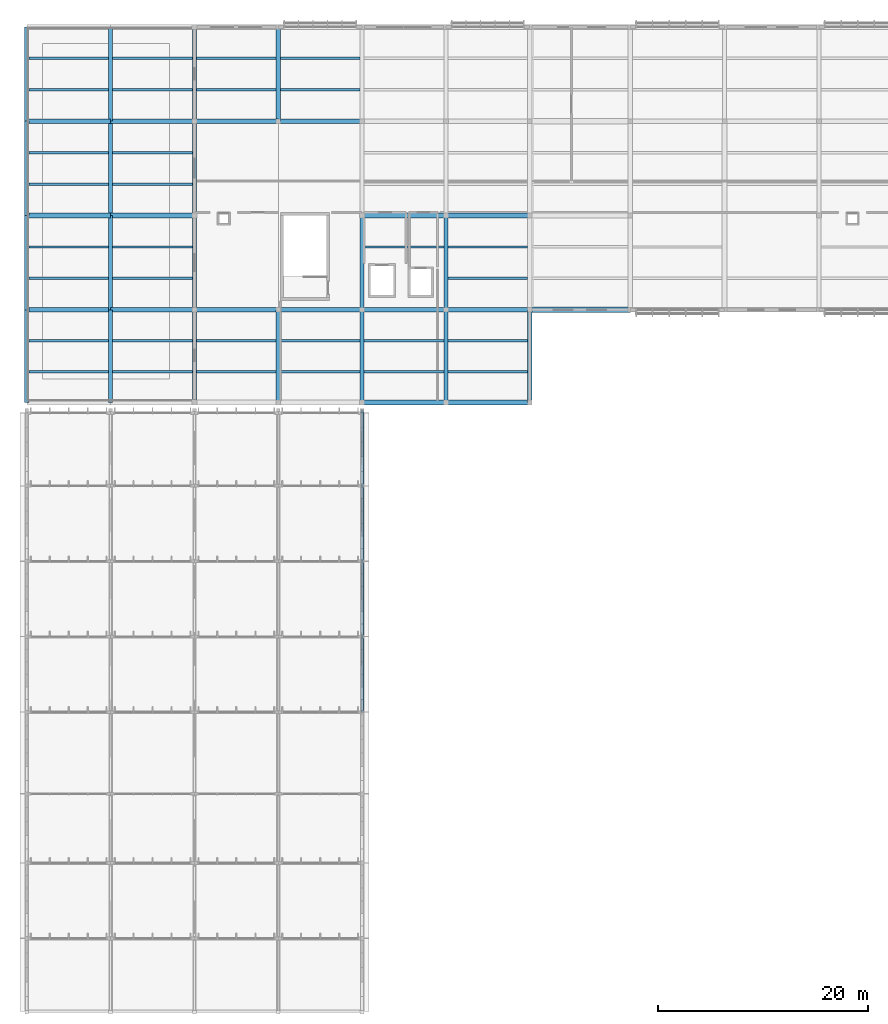
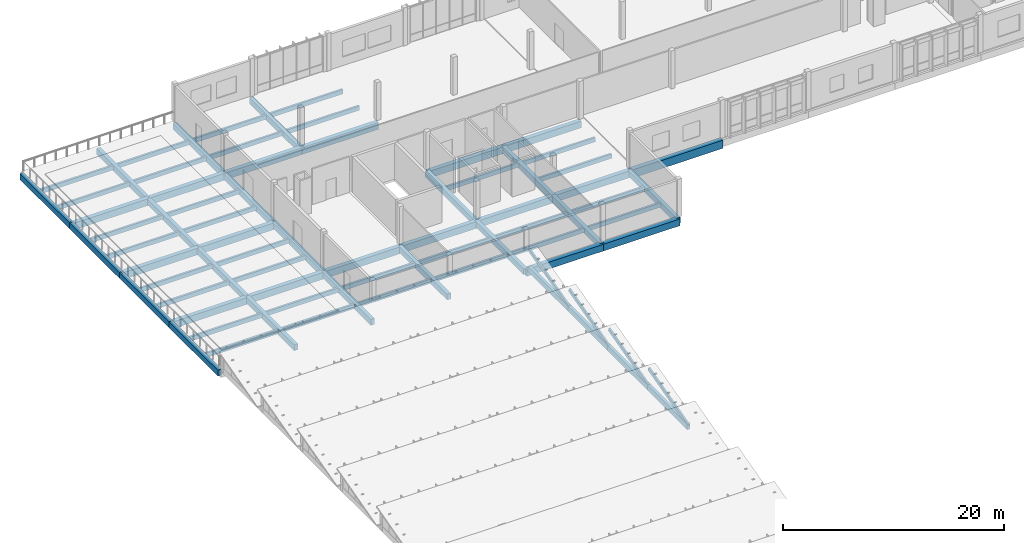
# One storey, part 42 of 94: 67 beams, 8 members.
"""IFC4 building model written with IfcOpenShell, lengths in metres."""

from ifc_helpers import new_model, si_unit, direction, frame, origin, origin_2d, place, context, subcontext, project, spatial, rectangle, extrude, material, material_profile, profile_set, type_object, element, save


model = new_model("IFC4")

# Units and contexts
model_context = context("Model", 3, precision=1e-05, world=origin(), true_north=direction((0.0, 1.0)))
body_context = subcontext(model_context, "Body", "Model", "MODEL_VIEW")
ifc_project = project(units=[si_unit("LENGTHUNIT", "METRE"), si_unit("AREAUNIT", "SQUARE_METRE"), si_unit("VOLUMEUNIT", "CUBIC_METRE"), si_unit("PLANEANGLEUNIT", "RADIAN"), si_unit("MASSUNIT", "GRAM", prefix="KILO")], contexts=[model_context])

# Site, building, storey
site_placement = place(None, origin())
site = spatial("IfcSite", under=ifc_project, at=site_placement, CompositionType="ELEMENT")
building_placement = place(site_placement, origin())
building = spatial("IfcBuilding", under=site, at=building_placement, Name="Chiffa Square Polytechnic", CompositionType="ELEMENT")
storey_placement = place(building_placement, frame((0.0, 0.0, 18.0)))
storey = spatial("IfcBuildingStorey", under=building, at=storey_placement, Name="L04", CompositionType="ELEMENT", Elevation=18.0)

# Beams
ifc_material_1 = material(Name="Concrete C35/45", Category="concrete")
ifc_material_profile_1 = material_profile(ifc_material_1, rectangle(XDim=0.39990234375, YDim=0.64990234375, at=origin_2d()), Name="RC 400x650")
ifc_profile_set_1 = profile_set([ifc_material_profile_1], Name="Concrete C35/45")
beam_type_1 = type_object("IfcBeamType", Name="BM-RC-400X650", PredefinedType="BEAM", material=ifc_profile_set_1)
beam_1_placement = place(storey_placement, frame((0.0, 94.949951171875, -0.56494140625), z_axis=(0.0, 1.0, 0.0), x_axis=(-1.0, 0.0, 0.0)))
element("IfcBeam", 1, at=beam_1_placement, inside=storey, type_object=beam_type_1, Name="Primary floor girder BM-V5-L04-Y-0000-0950", PredefinedType="BEAM", context=body_context, shape_type="SweptSolid", body=[
    extrude(rectangle(XDim=0.39990234375, YDim=0.64990234375, at=origin_2d()), origin(), (0.0, 0.0, 1.0), 8.85009765625),
])
for number, where, z_axis, x_axis, name in (
    (2, (0.0, 103.800048828125, -0.56494140625), (0.0, 1.0, 0.0), (-1.0, 0.0, 0.0), "Primary floor girder BM-V5-L04-Y-0000-1038"),
    (3, (0.0, 112.800048828125, -0.56494140625), (0.0, 1.0, 0.0), (-1.0, 0.0, 0.0), "Primary floor girder BM-V5-L04-Y-0000-1128"),
    (4, (0.0, 121.800048828125, -0.56494140625), (0.0, 1.0, 0.0), (-1.0, 0.0, 0.0), "Primary floor girder BM-V5-L04-Y-0000-1218"),
):
    element("IfcBeam", number, at=place(storey_placement, frame(where, z_axis=z_axis, x_axis=x_axis)), inside=storey, type_object=beam_type_1, Name=name, PredefinedType="BEAM", context=body_context, shape_type="SweptSolid", body=[
        extrude(rectangle(XDim=0.39990234375, YDim=0.64990234375, at=origin_2d()), origin(), (0.0, 0.0, 1.0), 9.0),
    ])
beam_2_placement = place(storey_placement, frame((8.0, 94.949951171875, -0.56494140625), z_axis=(0.0, 1.0, 0.0), x_axis=(-1.0, 0.0, 0.0)))
element("IfcBeam", 5, at=beam_2_placement, inside=storey, type_object=beam_type_1, Name="Primary floor girder BM-V5-L04-Y-0080-0950", PredefinedType="BEAM", context=body_context, shape_type="SweptSolid", body=[
    extrude(rectangle(XDim=0.39990234375, YDim=0.64990234375, at=origin_2d()), origin(), (0.0, 0.0, 1.0), 8.85009765625),
])
for number, where, z_axis, x_axis, name in (
    (6, (8.0, 103.800048828125, -0.56494140625), (0.0, 1.0, 0.0), (-1.0, 0.0, 0.0), "Primary floor girder BM-V5-L04-Y-0080-1038"),
    (7, (8.0, 112.800048828125, -0.56494140625), (0.0, 1.0, 0.0), (-1.0, 0.0, 0.0), "Primary floor girder BM-V5-L04-Y-0080-1128"),
    (8, (8.0, 121.800048828125, -0.56494140625), (0.0, 1.0, 0.0), (-1.0, 0.0, 0.0), "Primary floor girder BM-V5-L04-Y-0080-1218"),
):
    element("IfcBeam", number, at=place(storey_placement, frame(where, z_axis=z_axis, x_axis=x_axis)), inside=storey, type_object=beam_type_1, Name=name, PredefinedType="BEAM", context=body_context, shape_type="SweptSolid", body=[
        extrude(rectangle(XDim=0.39990234375, YDim=0.64990234375, at=origin_2d()), origin(), (0.0, 0.0, 1.0), 9.0),
    ])
beam_3_placement = place(storey_placement, frame((16.0, 94.949951171875, -0.56494140625), z_axis=(0.0, 1.0, 0.0), x_axis=(-1.0, 0.0, 0.0)))
element("IfcBeam", 9, at=beam_3_placement, inside=storey, type_object=beam_type_1, Name="Primary floor girder BM-V5-L04-Y-0160-0950", PredefinedType="BEAM", context=body_context, shape_type="SweptSolid", body=[
    extrude(rectangle(XDim=0.39990234375, YDim=0.64990234375, at=origin_2d()), origin(), (0.0, 0.0, 1.0), 8.85009765625),
])
for number, where, z_axis, x_axis, name in (
    (10, (16.0, 103.800048828125, -0.56494140625), (0.0, 1.0, 0.0), (-1.0, 0.0, 0.0), "Primary floor girder BM-V5-L04-Y-0160-1038"),
    (11, (16.0, 112.800048828125, -0.56494140625), (0.0, 1.0, 0.0), (-1.0, 0.0, 0.0), "Primary floor girder BM-V5-L04-Y-0160-1128"),
    (12, (16.0, 121.800048828125, -0.56494140625), (0.0, 1.0, 0.0), (-1.0, 0.0, 0.0), "Primary floor girder BM-V5-L04-Y-0160-1218"),
):
    element("IfcBeam", number, at=place(storey_placement, frame(where, z_axis=z_axis, x_axis=x_axis)), inside=storey, type_object=beam_type_1, Name=name, PredefinedType="BEAM", context=body_context, shape_type="SweptSolid", body=[
        extrude(rectangle(XDim=0.39990234375, YDim=0.64990234375, at=origin_2d()), origin(), (0.0, 0.0, 1.0), 9.0),
    ])
beam_4_placement = place(storey_placement, frame((24.0, 94.949951171875, -0.56494140625), z_axis=(0.0, 1.0, 0.0), x_axis=(-1.0, 0.0, 0.0)))
element("IfcBeam", 13, at=beam_4_placement, inside=storey, type_object=beam_type_1, Name="Primary floor girder BM-V5-L04-Y-0240-0950", PredefinedType="BEAM", context=body_context, shape_type="SweptSolid", body=[
    extrude(rectangle(XDim=0.39990234375, YDim=0.64990234375, at=origin_2d()), origin(), (0.0, 0.0, 1.0), 8.85009765625),
])
beam_5_placement = place(storey_placement, frame((24.0, 121.800048828125, -0.56494140625), z_axis=(0.0, 1.0, 0.0), x_axis=(-1.0, 0.0, 0.0)))
element("IfcBeam", 14, at=beam_5_placement, inside=storey, type_object=beam_type_1, Name="Primary floor girder BM-V5-L04-Y-0240-1218", PredefinedType="BEAM", context=body_context, shape_type="SweptSolid", body=[
    extrude(rectangle(XDim=0.39990234375, YDim=0.64990234375, at=origin_2d()), origin(), (0.0, 0.0, 1.0), 9.0),
])
beam_6_placement = place(storey_placement, frame((32.0, 94.949951171875, -0.56494140625), z_axis=(0.0, 1.0, 0.0), x_axis=(-1.0, 0.0, 0.0)))
element("IfcBeam", 15, at=beam_6_placement, inside=storey, type_object=beam_type_1, Name="Primary floor girder BM-V5-L04-Y-0320-0950", PredefinedType="BEAM", context=body_context, shape_type="SweptSolid", body=[
    extrude(rectangle(XDim=0.39990234375, YDim=0.64990234375, at=origin_2d()), origin(), (0.0, 0.0, 1.0), 8.85009765625),
])
beam_7_placement = place(storey_placement, frame((32.0, 103.800048828125, -0.56494140625), z_axis=(0.0, 1.0, 0.0), x_axis=(-1.0, 0.0, 0.0)))
element("IfcBeam", 16, at=beam_7_placement, inside=storey, type_object=beam_type_1, Name="Primary floor girder BM-V5-L04-Y-0320-1038", PredefinedType="BEAM", context=body_context, shape_type="SweptSolid", body=[
    extrude(rectangle(XDim=0.39990234375, YDim=0.64990234375, at=origin_2d()), origin(), (0.0, 0.0, 1.0), 9.0),
])
beam_8_placement = place(storey_placement, frame((40.0, 94.949951171875, -0.56494140625), z_axis=(0.0, 1.0, 0.0), x_axis=(-1.0, 0.0, 0.0)))
element("IfcBeam", 17, at=beam_8_placement, inside=storey, type_object=beam_type_1, Name="Primary floor girder BM-V5-L04-Y-0400-0950", PredefinedType="BEAM", context=body_context, shape_type="SweptSolid", body=[
    extrude(rectangle(XDim=0.39990234375, YDim=0.64990234375, at=origin_2d()), origin(), (0.0, 0.0, 1.0), 8.85009765625),
])
beam_9_placement = place(storey_placement, frame((40.0, 103.800048828125, -0.56494140625), z_axis=(0.0, 1.0, 0.0), x_axis=(-1.0, 0.0, 0.0)))
element("IfcBeam", 18, at=beam_9_placement, inside=storey, type_object=beam_type_1, Name="Primary floor girder BM-V5-L04-Y-0400-1038", PredefinedType="BEAM", context=body_context, shape_type="SweptSolid", body=[
    extrude(rectangle(XDim=0.39990234375, YDim=0.64990234375, at=origin_2d()), origin(), (0.0, 0.0, 1.0), 9.0),
])
beam_10_placement = place(storey_placement, frame((48.0, 94.949951171875, -0.56494140625), z_axis=(0.0, 1.0, 0.0), x_axis=(-1.0, 0.0, 0.0)))
element("IfcBeam", 19, at=beam_10_placement, inside=storey, type_object=beam_type_1, Name="Primary floor girder BM-V5-L04-Y-0480-0950", PredefinedType="BEAM", context=body_context, shape_type="SweptSolid", body=[
    extrude(rectangle(XDim=0.39990234375, YDim=0.64990234375, at=origin_2d()), origin(), (0.0, 0.0, 1.0), 8.85009765625),
])
ifc_material_profile_2 = material_profile(ifc_material_1, rectangle(XDim=0.449951171875, YDim=0.75, at=origin_2d()), Name="RC 450x750")
ifc_profile_set_2 = profile_set([ifc_material_profile_2], Name="Concrete C35/45")
beam_type_2 = type_object("IfcBeamType", Name="BM-RC-450X750", PredefinedType="BEAM", material=ifc_profile_set_2)
for number, where, z_axis, x_axis, name in (
    (20, (32.0, 94.949951171875, -0.614990234375), (1.0, 0.0, 0.0), (0.0, 1.0, 0.0), "Primary floor girder BM-V5-L04-X-0320-0950"),
    (21, (40.0, 94.949951171875, -0.614990234375), (1.0, 0.0, 0.0), (0.0, 1.0, 0.0), "Primary floor girder BM-V5-L04-X-0400-0950"),
    (22, (0.0, 103.800048828125, -0.614990234375), (1.0, 0.0, 0.0), (0.0, 1.0, 0.0), "Primary floor girder BM-V5-L04-X-0000-1038"),
    (23, (8.0, 103.800048828125, -0.614990234375), (1.0, 0.0, 0.0), (0.0, 1.0, 0.0), "Primary floor girder BM-V5-L04-X-0080-1038"),
    (24, (16.0, 103.800048828125, -0.614990234375), (1.0, 0.0, 0.0), (0.0, 1.0, 0.0), "Primary floor girder BM-V5-L04-X-0160-1038"),
    (25, (24.0, 103.800048828125, -0.614990234375), (1.0, 0.0, 0.0), (0.0, 1.0, 0.0), "Primary floor girder BM-V5-L04-X-0240-1038"),
    (26, (32.0, 103.800048828125, -0.614990234375), (1.0, 0.0, 0.0), (0.0, 1.0, 0.0), "Primary floor girder BM-V5-L04-X-0320-1038"),
    (27, (40.0, 103.800048828125, -0.614990234375), (1.0, 0.0, 0.0), (0.0, 1.0, 0.0), "Primary floor girder BM-V5-L04-X-0400-1038"),
    (28, (0.0, 112.800048828125, -0.614990234375), (1.0, 0.0, 0.0), (0.0, 1.0, 0.0), "Primary floor girder BM-V5-L04-X-0000-1128"),
    (29, (8.0, 112.800048828125, -0.614990234375), (1.0, 0.0, 0.0), (0.0, 1.0, 0.0), "Primary floor girder BM-V5-L04-X-0080-1128"),
    (30, (32.0, 112.800048828125, -0.614990234375), (1.0, 0.0, 0.0), (0.0, 1.0, 0.0), "Primary floor girder BM-V5-L04-X-0320-1128"),
    (31, (40.0, 112.800048828125, -0.614990234375), (1.0, 0.0, 0.0), (0.0, 1.0, 0.0), "Primary floor girder BM-V5-L04-X-0400-1128"),
    (32, (0.0, 121.800048828125, -0.614990234375), (1.0, 0.0, 0.0), (0.0, 1.0, 0.0), "Primary floor girder BM-V5-L04-X-0000-1218"),
    (33, (8.0, 121.800048828125, -0.614990234375), (1.0, 0.0, 0.0), (0.0, 1.0, 0.0), "Primary floor girder BM-V5-L04-X-0080-1218"),
    (34, (16.0, 121.800048828125, -0.614990234375), (1.0, 0.0, 0.0), (0.0, 1.0, 0.0), "Primary floor girder BM-V5-L04-X-0160-1218"),
    (35, (24.0, 121.800048828125, -0.614990234375), (1.0, 0.0, 0.0), (0.0, 1.0, 0.0), "Primary floor girder BM-V5-L04-X-0240-1218"),
):
    element("IfcBeam", number, at=place(storey_placement, frame(where, z_axis=z_axis, x_axis=x_axis)), inside=storey, type_object=beam_type_2, Name=name, PredefinedType="BEAM", context=body_context, shape_type="SweptSolid", body=[
        extrude(rectangle(XDim=0.449951171875, YDim=0.75, at=origin_2d()), origin(), (0.0, 0.0, 1.0), 8.0),
    ])
ifc_material_2 = material(Name="Concrete C40/50", Category="concrete")
ifc_material_profile_3 = material_profile(ifc_material_2, rectangle(XDim=0.5, YDim=0.89990234375, at=origin_2d()), Name="RC 500x900")
ifc_profile_set_3 = profile_set([ifc_material_profile_3], Name="Concrete C40/50")
beam_type_3 = type_object("IfcBeamType", Name="BM-RC-500X900", PredefinedType="BEAM", material=ifc_profile_set_3)
beam_11_placement = place(storey_placement, frame((48.0, 103.800048828125, -0.68994140625), z_axis=(1.0, 0.0, 0.0), x_axis=(0.0, 1.0, 0.0)))
element("IfcBeam", 36, at=beam_11_placement, inside=storey, type_object=beam_type_3, Name="Primary floor girder BM-V5-L04-X-0480-1038", PredefinedType="BEAM", context=body_context, shape_type="SweptSolid", body=[
    extrude(rectangle(XDim=0.5, YDim=0.89990234375, at=origin_2d()), origin(), (0.0, 0.0, 1.0), 9.60009765625),
])
ifc_material_3 = material(Name="Glulam GL28h", Category="wood")
ifc_material_profile_4 = material_profile(ifc_material_3, rectangle(XDim=0.219970703125, YDim=0.47998046875, at=origin_2d()), Name="GL28h 220x480")
ifc_profile_set_4 = profile_set([ifc_material_profile_4], Name="Glulam GL28h")
beam_type_4 = type_object("IfcBeamType", Name="JST-GL-220X480", PredefinedType="JOIST", material=ifc_profile_set_4)
for number, where, z_axis, x_axis, name in (
    (37, (0.197998046875, 97.89990234375, -0.47998046875), (1.0, 0.0, 0.0), (0.0, 1.0, 0.0), "Secondary floor joist JST-V5-L04-0000-0979"),
    (38, (0.197998046875, 100.85009765625, -0.47998046875), (1.0, 0.0, 0.0), (0.0, 1.0, 0.0), "Secondary floor joist JST-V5-L04-0000-1008"),
    (39, (0.197998046875, 106.800048828125, -0.47998046875), (1.0, 0.0, 0.0), (0.0, 1.0, 0.0), "Secondary floor joist JST-V5-L04-0000-1068"),
    (40, (0.197998046875, 109.800048828125, -0.47998046875), (1.0, 0.0, 0.0), (0.0, 1.0, 0.0), "Secondary floor joist JST-V5-L04-0000-1098"),
    (41, (0.197998046875, 115.800048828125, -0.47998046875), (1.0, 0.0, 0.0), (0.0, 1.0, 0.0), "Secondary floor joist JST-V5-L04-0000-1158"),
    (42, (0.197998046875, 118.800048828125, -0.47998046875), (1.0, 0.0, 0.0), (0.0, 1.0, 0.0), "Secondary floor joist JST-V5-L04-0000-1188"),
    (43, (0.197998046875, 124.800048828125, -0.47998046875), (1.0, 0.0, 0.0), (0.0, 1.0, 0.0), "Secondary floor joist JST-V5-L04-0000-1248"),
    (44, (0.197998046875, 127.800048828125, -0.47998046875), (1.0, 0.0, 0.0), (0.0, 1.0, 0.0), "Secondary floor joist JST-V5-L04-0000-1278"),
    (45, (8.197998046875, 97.89990234375, -0.47998046875), (1.0, 0.0, 0.0), (0.0, 1.0, 0.0), "Secondary floor joist JST-V5-L04-0080-0979"),
    (46, (8.197998046875, 100.85009765625, -0.47998046875), (1.0, 0.0, 0.0), (0.0, 1.0, 0.0), "Secondary floor joist JST-V5-L04-0080-1008"),
    (47, (8.197998046875, 106.800048828125, -0.47998046875), (1.0, 0.0, 0.0), (0.0, 1.0, 0.0), "Secondary floor joist JST-V5-L04-0080-1068"),
    (48, (8.197998046875, 109.800048828125, -0.47998046875), (1.0, 0.0, 0.0), (0.0, 1.0, 0.0), "Secondary floor joist JST-V5-L04-0080-1098"),
    (49, (8.197998046875, 115.800048828125, -0.47998046875), (1.0, 0.0, 0.0), (0.0, 1.0, 0.0), "Secondary floor joist JST-V5-L04-0080-1158"),
    (50, (8.197998046875, 118.800048828125, -0.47998046875), (1.0, 0.0, 0.0), (0.0, 1.0, 0.0), "Secondary floor joist JST-V5-L04-0080-1188"),
    (51, (8.197998046875, 124.800048828125, -0.47998046875), (1.0, 0.0, 0.0), (0.0, 1.0, 0.0), "Secondary floor joist JST-V5-L04-0080-1248"),
    (52, (8.197998046875, 127.800048828125, -0.47998046875), (1.0, 0.0, 0.0), (0.0, 1.0, 0.0), "Secondary floor joist JST-V5-L04-0080-1278"),
    (53, (16.197998046875, 97.89990234375, -0.47998046875), (1.0, 0.0, 0.0), (0.0, 1.0, 0.0), "Secondary floor joist JST-V5-L04-0160-0979"),
    (54, (16.197998046875, 100.85009765625, -0.47998046875), (1.0, 0.0, 0.0), (0.0, 1.0, 0.0), "Secondary floor joist JST-V5-L04-0160-1008"),
    (55, (16.197998046875, 124.800048828125, -0.47998046875), (1.0, 0.0, 0.0), (0.0, 1.0, 0.0), "Secondary floor joist JST-V5-L04-0160-1248"),
    (56, (16.197998046875, 127.800048828125, -0.47998046875), (1.0, 0.0, 0.0), (0.0, 1.0, 0.0), "Secondary floor joist JST-V5-L04-0160-1278"),
    (57, (24.197998046875, 97.89990234375, -0.47998046875), (1.0, 0.0, 0.0), (0.0, 1.0, 0.0), "Secondary floor joist JST-V5-L04-0240-0979"),
    (58, (24.197998046875, 100.85009765625, -0.47998046875), (1.0, 0.0, 0.0), (0.0, 1.0, 0.0), "Secondary floor joist JST-V5-L04-0240-1008"),
    (59, (24.197998046875, 124.800048828125, -0.47998046875), (1.0, 0.0, 0.0), (0.0, 1.0, 0.0), "Secondary floor joist JST-V5-L04-0240-1248"),
    (60, (24.197998046875, 127.800048828125, -0.47998046875), (1.0, 0.0, 0.0), (0.0, 1.0, 0.0), "Secondary floor joist JST-V5-L04-0240-1278"),
    (61, (32.197998046875, 97.89990234375, -0.47998046875), (1.0, 0.0, 0.0), (0.0, 1.0, 0.0), "Secondary floor joist JST-V5-L04-0320-0979"),
    (62, (32.197998046875, 100.85009765625, -0.47998046875), (1.0, 0.0, 0.0), (0.0, 1.0, 0.0), "Secondary floor joist JST-V5-L04-0320-1008"),
    (63, (32.197998046875, 109.800048828125, -0.47998046875), (1.0, 0.0, 0.0), (0.0, 1.0, 0.0), "Secondary floor joist JST-V5-L04-0320-1098"),
    (64, (40.197998046875, 97.89990234375, -0.47998046875), (1.0, 0.0, 0.0), (0.0, 1.0, 0.0), "Secondary floor joist JST-V5-L04-0400-0979"),
    (65, (40.197998046875, 100.85009765625, -0.47998046875), (1.0, 0.0, 0.0), (0.0, 1.0, 0.0), "Secondary floor joist JST-V5-L04-0400-1008"),
    (66, (40.197998046875, 106.800048828125, -0.47998046875), (1.0, 0.0, 0.0), (0.0, 1.0, 0.0), "Secondary floor joist JST-V5-L04-0400-1068"),
    (67, (40.197998046875, 109.800048828125, -0.47998046875), (1.0, 0.0, 0.0), (0.0, 1.0, 0.0), "Secondary floor joist JST-V5-L04-0400-1098"),
):
    element("IfcBeam", number, at=place(storey_placement, frame(where, z_axis=z_axis, x_axis=x_axis)), inside=storey, type_object=beam_type_4, Name=name, PredefinedType="JOIST", context=body_context, shape_type="SweptSolid", body=[
        extrude(rectangle(XDim=0.219970703125, YDim=0.47998046875, at=origin_2d()), origin(), (0.0, 0.0, 1.0), 7.60400390625),
    ])

# Members
ifc_material_4 = material(Name="Glulam GL32c", Category="wood")
ifc_material_profile_5 = material_profile(ifc_material_4, rectangle(XDim=0.320068359375, YDim=0.60009765625, at=origin_2d()), Name="GL32c 320x600")
ifc_profile_set_5 = profile_set([ifc_material_profile_5], Name="Glulam GL32c")
member_type_1 = type_object("IfcMemberType", Name="MEM-CHORD-GL320", PredefinedType="CHORD", material=ifc_profile_set_5)
member_1_placement = place(storey_placement, frame((32.0, 65.39990234375, 0.179931640625), z_axis=(0.0, 1.0, 0.0), x_axis=(-1.0, 0.0, 0.0)))
element("IfcMember", 68, at=member_1_placement, inside=storey, type_object=member_type_1, Name="Studio sawtooth tie chord TCB-V6-SAW-025", PredefinedType="CHORD", context=body_context, shape_type="SweptSolid", body=[
    extrude(rectangle(XDim=0.320068359375, YDim=0.60009765625, at=origin_2d()), origin(), (0.0, 0.0, 1.0), 7.2001953125),
])
for number, where, z_axis, x_axis, name in (
    (69, (32.0, 72.60009765625, 0.179931640625), (0.0, 1.0, 0.0), (-1.0, 0.0, 0.0), "Studio sawtooth tie chord TCB-V6-SAW-030"),
    (70, (32.0, 79.800048828125, 0.179931640625), (0.0, 1.0, 0.0), (-1.0, 0.0, 0.0), "Studio sawtooth tie chord TCB-V6-SAW-035"),
    (71, (32.0, 87.0, 0.179931640625), (0.0, 1.0, 0.0), (-1.0, 0.0, 0.0), "Studio sawtooth tie chord TCB-V6-SAW-040"),
):
    element("IfcMember", number, at=place(storey_placement, frame(where, z_axis=z_axis, x_axis=x_axis)), inside=storey, type_object=member_type_1, Name=name, PredefinedType="CHORD", context=body_context, shape_type="SweptSolid", body=[
        extrude(rectangle(XDim=0.320068359375, YDim=0.60009765625, at=origin_2d()), origin(), (0.0, 0.0, 1.0), 7.199951171875),
    ])
ifc_material_profile_6 = material_profile(ifc_material_3, rectangle(XDim=0.179931640625, YDim=0.360107421875, at=origin_2d()), Name="GL28h 180x360")
ifc_profile_set_6 = profile_set([ifc_material_profile_6], Name="Glulam GL28h")
member_type_2 = type_object("IfcMemberType", Name="MEM-RFT-GL180", PredefinedType="RAFTER", material=ifc_profile_set_6)
member_2_placement = place(storey_placement, frame((32.0, 65.39990234375, 0.300048828125), z_axis=(0.0, 0.965936941461, 0.258777559151), x_axis=(-1.0, 0.0, 0.0)))
element("IfcMember", 72, at=member_2_placement, inside=storey, type_object=member_type_2, Name="Studio sawtooth glulam rafter RF-V6-L04-025", PredefinedType="RAFTER", context=body_context, shape_type="SweptSolid", body=[
    extrude(rectangle(XDim=0.179931640625, YDim=0.360107421875, at=origin_2d()), origin(), (0.0, 0.0, 1.0), 7.4541015625),
])
for number, where, z_axis, x_axis, name in (
    (73, (32.0, 72.60009765625, 0.300048828125), (0.0, 0.965934748059, 0.258785746309), (-1.0, 0.0, 0.0), "Studio sawtooth glulam rafter RF-V6-L04-030"),
    (74, (32.0, 79.800048828125, 0.300048828125), (0.0, 0.965934748059, 0.258785746309), (-1.0, 0.0, 0.0), "Studio sawtooth glulam rafter RF-V6-L04-035"),
    (75, (32.0, 87.0, 0.300048828125), (0.0, 0.965934748059, 0.258785746309), (-1.0, 0.0, 0.0), "Studio sawtooth glulam rafter RF-V6-L04-040"),
):
    element("IfcMember", number, at=place(storey_placement, frame(where, z_axis=z_axis, x_axis=x_axis)), inside=storey, type_object=member_type_2, Name=name, PredefinedType="RAFTER", context=body_context, shape_type="SweptSolid", body=[
        extrude(rectangle(XDim=0.179931640625, YDim=0.360107421875, at=origin_2d()), origin(), (0.0, 0.0, 1.0), 7.453857421875),
    ])

save(model, "model.ifc")
